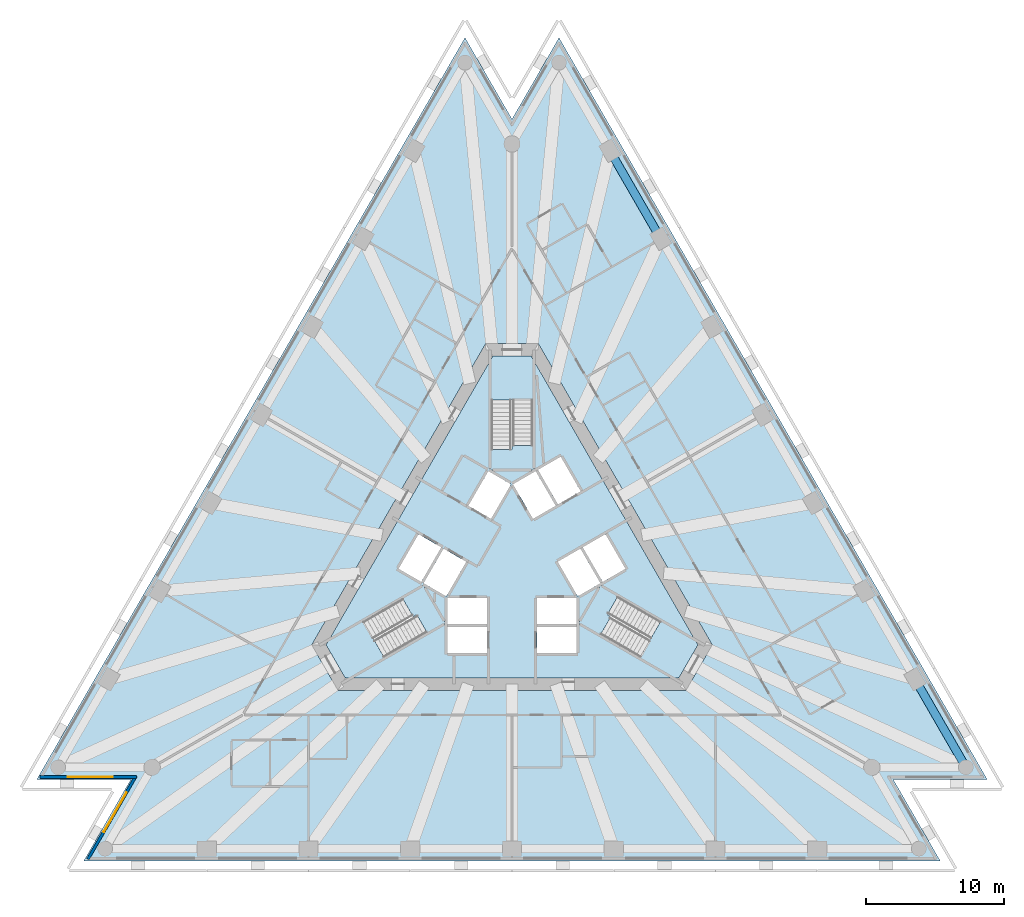
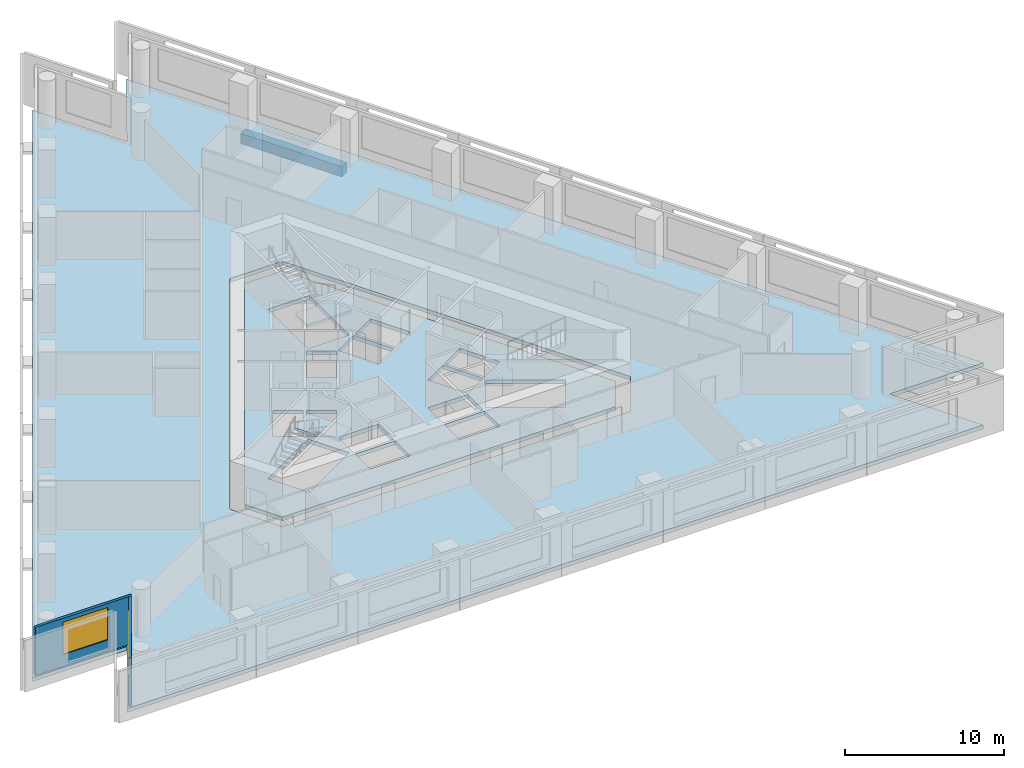
# One storey, part 2 of 11: 5 slabs, 2 beams, 2 walls, 2 windows, 2 openings, 3 elements without a shape of their own.
"""IFC4 building model written with IfcOpenShell, lengths in metres."""

from ifc_helpers import new_model, si_unit, direction, frame, frame_2d, origin, origin_2d, place, context, subcontext, project, spatial, polyline, rectangle, outline, extrude, material, layer, layer_set, layer_usage, material_profile, profile_set, type_object, element, fill, aggregate, save


model = new_model("IFC4")

# Units and contexts
model_context = context("Model", 3, precision=1e-05, world=origin(), true_north=direction((0.0, 1.0)))
body_context = subcontext(model_context, "Body", "Model", "MODEL_VIEW")
ifc_project = project(units=[si_unit("LENGTHUNIT", "METRE"), si_unit("AREAUNIT", "SQUARE_METRE"), si_unit("VOLUMEUNIT", "CUBIC_METRE"), si_unit("PLANEANGLEUNIT", "RADIAN"), si_unit("MASSUNIT", "GRAM", prefix="KILO")], contexts=[model_context])

# Site, building, storey
site_placement = place(None, origin())
site = spatial("IfcSite", under=ifc_project, at=site_placement, CompositionType="ELEMENT")
building_placement = place(site_placement, origin())
building = spatial("IfcBuilding", under=site, at=building_placement, Name="Triada Interchange Tower", CompositionType="ELEMENT")
storey_placement = place(building_placement, frame((0.0, 0.0, 59.300048828125)))
storey = spatial("IfcBuildingStorey", under=building, at=storey_placement, Name="L12", CompositionType="ELEMENT", Elevation=59.300048828125)

# Beams
ifc_material_1 = material(Name="Concrete C50/60", Category="concrete")
ifc_material_profile = material_profile(ifc_material_1, rectangle(XDim=0.60009765625, YDim=0.800048828125, at=origin_2d()), Name="RC 600x800")
ifc_profile_set = profile_set([ifc_material_profile], Name="Concrete C50/60")
beam_type = type_object("IfcBeamType", Name="Spandrel beam A RC 600x800", PredefinedType="BEAM", material=ifc_profile_set)
beam_1_placement = place(storey_placement, frame((32.98291015625, -15.097900390625, -0.699951171875), z_axis=(-0.500025532259, 0.866010662226, 0.0), x_axis=(-0.866010662226, -0.500025532259, 0.0)))
element("IfcBeam", 1, at=beam_1_placement, inside=storey, type_object=beam_type, Name="Spandrel beam EA21 L12", PredefinedType="BEAM", context=body_context, shape_type="SweptSolid", body=[
    extrude(rectangle(XDim=0.60009765625, YDim=0.800048828125, at=origin_2d()), origin(), (0.0, 0.0, 1.0), 7.39111328125),
])
beam_2_placement = place(storey_placement, frame((10.80810546875, 23.31005859375, -0.699951171875), z_axis=(-0.499993095098, 0.866029390295, 0.0), x_axis=(-0.866029390295, -0.499993095098, 0.0)))
element("IfcBeam", 2, at=beam_2_placement, inside=storey, type_object=beam_type, Name="Spandrel beam EA27 L12", PredefinedType="BEAM", context=body_context, shape_type="SweptSolid", body=[
    extrude(rectangle(XDim=0.60009765625, YDim=0.800048828125, at=origin_2d()), origin(), (0.0, 0.0, 1.0), 7.39208984375),
])

# Slabs
ifc_layer_1 = layer(ifc_material_1, 0.300048828125)
ifc_layer_set_1 = layer_set([ifc_layer_1], Name="Floor slab 300")
slab_type_1 = type_object("IfcSlabType", Name="Floor slab 300", PredefinedType="FLOOR", material=ifc_layer_set_1)
slab_1_placement = place(storey_placement, frame((0.0, 0.0, -0.300048828125)))
element("IfcSlab", 3, at=slab_1_placement, inside=storey, type_object=slab_type_1, Name="Floor slab L12", PredefinedType="FLOOR", context=body_context, shape_type="SweptSolid", body=[
    extrude(outline(polyline([(-3.416015625, 37.9130859375), (-34.5419921875, -15.998046875), (-27.708984375, -15.998046875), (-31.125, -21.9150390625), (31.125, -21.9150390625), (27.708984375, -15.998046875), (34.5419921875, -15.998046875), (3.416015625, 37.9130859375), (0.0, 31.99609375), (-3.416015625, 37.9130859375)]), holes=[polyline([(1.905029296875, 15.699951171875), (-1.905029296875, 15.699951171875), (-14.549072265625, -6.199951171875), (-12.64404296875, -9.5), (12.64404296875, -9.5), (14.549072265625, -6.199951171875), (1.905029296875, 15.699951171875)])]), origin(), (0.0, 0.0, 1.0), 0.300048828125),
])
slab_2_placement = place(storey_placement, frame((0.0, 0.0, -0.300048828125)))
element("IfcSlab", 4, at=slab_2_placement, inside=storey, type_object=slab_type_1, Name="Core floor slab L12 1", PredefinedType="FLOOR", context=body_context, shape_type="SweptSolid", body=[
    extrude(outline(polyline([(13.510009765625, -6.199951171875), (12.1240234375, -8.60009765625), (-12.1240234375, -8.60009765625), (-13.510009765625, -6.199951171875), (-1.385986328125, 14.800048828125), (1.385986328125, 14.800048828125), (13.510009765625, -6.199951171875)]), holes=[polyline([(9.2958984375, -7.09912109375), (10.7958984375, -4.5009765625), (6.466064453125, -2.0009765625), (4.966064453125, -4.59912109375), (9.2958984375, -7.09912109375)]), polyline([(6.7890625, 1.841064453125), (5.14404296875, 0.89111328125), (6.593994140625, -1.6201171875), (8.239013671875, -0.669921875), (6.7890625, 1.841064453125)]), polyline([(4.969970703125, 0.791015625), (3.324951171875, -0.158935546875), (4.77490234375, -2.669921875), (6.419921875, -1.719970703125), (4.969970703125, 0.791015625)]), polyline([(1.89404296875, 6.52001953125), (3.343994140625, 4.009033203125), (4.989013671875, 4.958984375), (3.5390625, 7.469970703125), (1.89404296875, 6.52001953125)]), polyline([(1.800048828125, -4.89990234375), (1.800048828125, -6.800048828125), (4.699951171875, -6.800048828125), (4.699951171875, -4.89990234375), (1.800048828125, -4.89990234375)]), polyline([(1.800048828125, -2.800048828125), (1.800048828125, -4.031005859375), (1.800048828125, -4.699951171875), (4.699951171875, -4.699951171875), (4.699951171875, -2.800048828125), (1.800048828125, -2.800048828125)]), polyline([(1.52490234375, 2.958984375), (1.68408203125, 3.051025390625), (3.169921875, 3.908935546875), (1.719970703125, 6.419921875), (0.074951171875, 5.469970703125), (1.52490234375, 2.958984375)]), polyline([(1.5, 11.60009765625), (-1.5, 11.60009765625), (-1.5, 6.60009765625), (1.5, 6.60009765625), (1.5, 11.60009765625)]), polyline([(-0.074951171875, 5.469970703125), (-1.719970703125, 6.419921875), (-3.169921875, 3.908935546875), (-1.6298828125, 3.01904296875), (-1.52490234375, 2.958984375), (-0.074951171875, 5.469970703125)]), polyline([(-4.699951171875, -2.800048828125), (-4.699951171875, -4.699951171875), (-1.800048828125, -4.699951171875), (-1.800048828125, -4.031005859375), (-1.800048828125, -2.800048828125), (-4.699951171875, -2.800048828125)]), polyline([(-4.699951171875, -4.89990234375), (-4.699951171875, -6.800048828125), (-1.800048828125, -6.800048828125), (-1.800048828125, -4.89990234375), (-4.699951171875, -4.89990234375)]), polyline([(-4.77490234375, -2.669921875), (-3.324951171875, -0.158935546875), (-4.969970703125, 0.791015625), (-6.419921875, -1.719970703125), (-4.77490234375, -2.669921875)]), polyline([(-10.7958984375, -4.5009765625), (-9.2958984375, -7.09912109375), (-4.966064453125, -4.59912109375), (-6.466064453125, -2.0009765625), (-10.7958984375, -4.5009765625)]), polyline([(-6.593994140625, -1.6201171875), (-5.14404296875, 0.89111328125), (-6.7890625, 1.841064453125), (-8.239013671875, -0.669921875), (-6.593994140625, -1.6201171875)])]), origin(), (0.0, 0.0, 1.0), 0.300048828125),
])

# Stair, slab
ifc_material_2 = material(Name="Concrete C35/45", Category="concrete")
stair_type = type_object("IfcStairType", Name="HALF TURN STAIR 1400", PredefinedType="HALF_TURN_STAIR", material=ifc_material_2)
stair_1_placement = place(storey_placement, origin())
stair_1 = element("IfcStair", 5, at=stair_1_placement, inside=storey, type_object=stair_type, Name="Exit stair S12-1", PredefinedType="HALF_TURN_STAIR")
ifc_layer_2 = layer(ifc_material_2, 0.199951171875)
ifc_layer_set_2 = layer_set([ifc_layer_2], Name="STAIR LANDING 200")
slab_type_2 = type_object("IfcSlabType", Name="STAIR LANDING 200", PredefinedType="LANDING", material=ifc_layer_set_2)
slab_3_placement = place(storey_placement, frame((0.0, 0.0, 1.719970703125)))
slab_3 = element("IfcSlab", 6, at=slab_3_placement, type_object=slab_type_2, Name="S12-1 landing 1", PredefinedType="LANDING", context=body_context, shape_type="SweptSolid", body=[
    extrude(outline(polyline([(1.60009765625, 6.5), (1.60009765625, 8.300048828125), (0.0, 8.300048828125), (0.0, 8.0), (-1.60009765625, 8.0), (-1.60009765625, 6.5), (1.60009765625, 6.5)])), origin(), (0.0, 0.0, 1.0), 0.199951171875),
])
aggregate(stair_1, [slab_3])

stair_2_placement = place(storey_placement, origin())
stair_2 = element("IfcStair", 7, at=stair_2_placement, inside=storey, type_object=stair_type, Name="Exit stair S12-2", PredefinedType="HALF_TURN_STAIR")
slab_4_placement = place(storey_placement, frame((0.0, 0.0, 1.719970703125)))
slab_4 = element("IfcSlab", 8, at=slab_4_placement, type_object=slab_type_2, Name="S12-2 landing 1", PredefinedType="LANDING", context=body_context, shape_type="SweptSolid", body=[
    extrude(outline(polyline([(-6.428955078125, -1.864013671875), (-7.988037109375, -2.763916015625), (-7.18798828125, -4.14990234375), (-6.927978515625, -4.0), (-6.1279296875, -5.385986328125), (-4.8291015625, -4.635986328125), (-6.428955078125, -1.864013671875)])), origin(), (0.0, 0.0, 1.0), 0.199951171875),
])
aggregate(stair_2, [slab_4])

stair_3_placement = place(storey_placement, origin())
stair_3 = element("IfcStair", 9, at=stair_3_placement, inside=storey, type_object=stair_type, Name="Exit stair S12-3", PredefinedType="HALF_TURN_STAIR")
slab_5_placement = place(storey_placement, frame((0.0, 0.0, 1.719970703125)))
slab_5 = element("IfcSlab", 10, at=slab_5_placement, type_object=slab_type_2, Name="S12-3 landing 1", PredefinedType="LANDING", context=body_context, shape_type="SweptSolid", body=[
    extrude(outline(polyline([(4.8291015625, -4.635986328125), (6.387939453125, -5.535888671875), (7.18798828125, -4.14990234375), (6.927978515625, -4.0), (7.72802734375, -2.614013671875), (6.428955078125, -1.864013671875), (4.8291015625, -4.635986328125)])), origin(), (0.0, 0.0, 1.0), 0.199951171875),
])
aggregate(stair_3, [slab_5])

# Wall, opening, window
ifc_material_3 = material(Name="Cement board")
ifc_layer_3 = layer(ifc_material_3, 0.02001953125, Name="Cement board cladding")
ifc_material_4 = material(Name="Sheathing board")
ifc_layer_4 = layer(ifc_material_4, 0.014892578125, Name="Sheathing board")
ifc_material_5 = material(Name="Mineral wool")
ifc_layer_5 = layer(ifc_material_5, 0.14990234375, Name="Mineral wool between steel studs")
ifc_material_6 = material(Name="Gypsum board")
ifc_layer_6 = layer(ifc_material_6, 0.014892578125, Name="Plasterboard lining")
ifc_layer_set_3 = layer_set([ifc_layer_3, ifc_layer_4, ifc_layer_5, ifc_layer_6], Name="External wall 200")
ifc_layer_usage = layer_usage(ifc_layer_set_3, "AXIS2", "POSITIVE", -0.10009765625)
wall_type = type_object("IfcWallType", Name="External wall 200", PredefinedType="ELEMENTEDWALL", material=ifc_layer_set_3)
wall_1_placement = place(storey_placement, frame((-34.285888671875, -15.798095703125, 0.0), z_axis=(0.0, 0.0, 1.0), x_axis=(1.0, 0.0, 0.0)))
wall_1 = element("IfcWall", 11, at=wall_1_placement, inside=storey, type_object=wall_type, material=ifc_layer_usage, Name="External wall L12 SW-1", PredefinedType="ELEMENTEDWALL", context=body_context, shape_type="SweptSolid", body=[
    extrude(rectangle(XDim=6.992919921875, YDim=0.199951171875, at=frame_2d((3.49658203125, 0.0))), origin(), (0.0, 0.0, 1.0), 3.699951171875),
])
opening_1_placement = place(wall_1_placement, frame((1.989990234375, 0.0, 0.89990234375)))
opening_1 = element("IfcOpeningElement", 12, at=opening_1_placement, cuts=wall_1, Name="Opening WA09", PredefinedType="OPENING", context=body_context, shape_type="SweptSolid", body=[
    extrude(rectangle(XDim=3.300048828125, YDim=2.5, at=frame_2d((1.64990234375, 1.25))), frame((0.0, 0.10986328125, 0.0), z_axis=(0.0, -1.0, 0.0), x_axis=(1.0, 0.0, 0.0)), (0.0, 0.0, 1.0), 0.219970703125),
])
ifc_material_7 = material(Name="Double glazed aluminium window", Category="aluminium")
window_type = type_object("IfcWindowType", Name="Ribbon window A pocket", PartitioningType="SINGLE_PANEL", PredefinedType="WINDOW", material=ifc_material_7)
window_1_placement = place(opening_1_placement, origin())
window_1 = element("IfcWindow", 13, at=window_1_placement, inside=storey, type_object=window_type, Name="Window L12 SW-1 1", OverallHeight=2.5, OverallWidth=3.300048828125, PartitioningType="SINGLE_PANEL", PredefinedType="WINDOW", context=body_context, shape_type="SweptSolid", body=[
    extrude(rectangle(XDim=3.300048828125, YDim=2.5, at=frame_2d((1.64990234375, 1.25))), frame((0.0, 0.030029296875, 0.0), z_axis=(0.0, -1.0, 0.0), x_axis=(1.0, 0.0, 0.0)), (0.0, 0.0, 1.0), 0.06005859375),
])
fill(opening_1, window_1)

wall_2_placement = place(storey_placement, frame((-27.318115234375, -15.719970703125, 0.0), z_axis=(0.0, 0.0, 1.0), x_axis=(-0.499943085557, -0.86605826086, 0.0)))
wall_2 = element("IfcWall", 14, at=wall_2_placement, inside=storey, type_object=wall_type, material=ifc_layer_usage, Name="External wall L12 SW-2", PredefinedType="ELEMENTEDWALL", context=body_context, shape_type="SweptSolid", body=[
    extrude(rectangle(XDim=6.992431640625, YDim=0.199951171875, at=frame_2d((3.49609375, 0.0))), origin(), (0.0, 0.0, 1.0), 3.699951171875),
])
opening_2_placement = place(wall_2_placement, frame((1.389892578125, 0.0, 0.89990234375)))
opening_2 = element("IfcOpeningElement", 15, at=opening_2_placement, cuts=wall_2, Name="Opening WA10", PredefinedType="OPENING", context=body_context, shape_type="SweptSolid", body=[
    extrude(rectangle(XDim=3.300048828125, YDim=2.5, at=frame_2d((1.64990234375, 1.25))), frame((0.0, 0.10986328125, 0.0), z_axis=(0.0, -1.0, 0.0), x_axis=(1.0, 0.0, 0.0)), (0.0, 0.0, 1.0), 0.219970703125),
])
window_2_placement = place(opening_2_placement, origin())
window_2 = element("IfcWindow", 16, at=window_2_placement, inside=storey, type_object=window_type, Name="Window L12 SW-2 1", OverallHeight=2.5, OverallWidth=3.300048828125, PartitioningType="SINGLE_PANEL", PredefinedType="WINDOW", context=body_context, shape_type="SweptSolid", body=[
    extrude(rectangle(XDim=3.300048828125, YDim=2.5, at=frame_2d((1.64990234375, 1.25))), frame((0.0, 0.030029296875, 0.0), z_axis=(0.0, -1.0, 0.0), x_axis=(1.0, 0.0, 0.0)), (0.0, 0.0, 1.0), 0.06005859375),
])
fill(opening_2, window_2)

save(model, "model.ifc")
